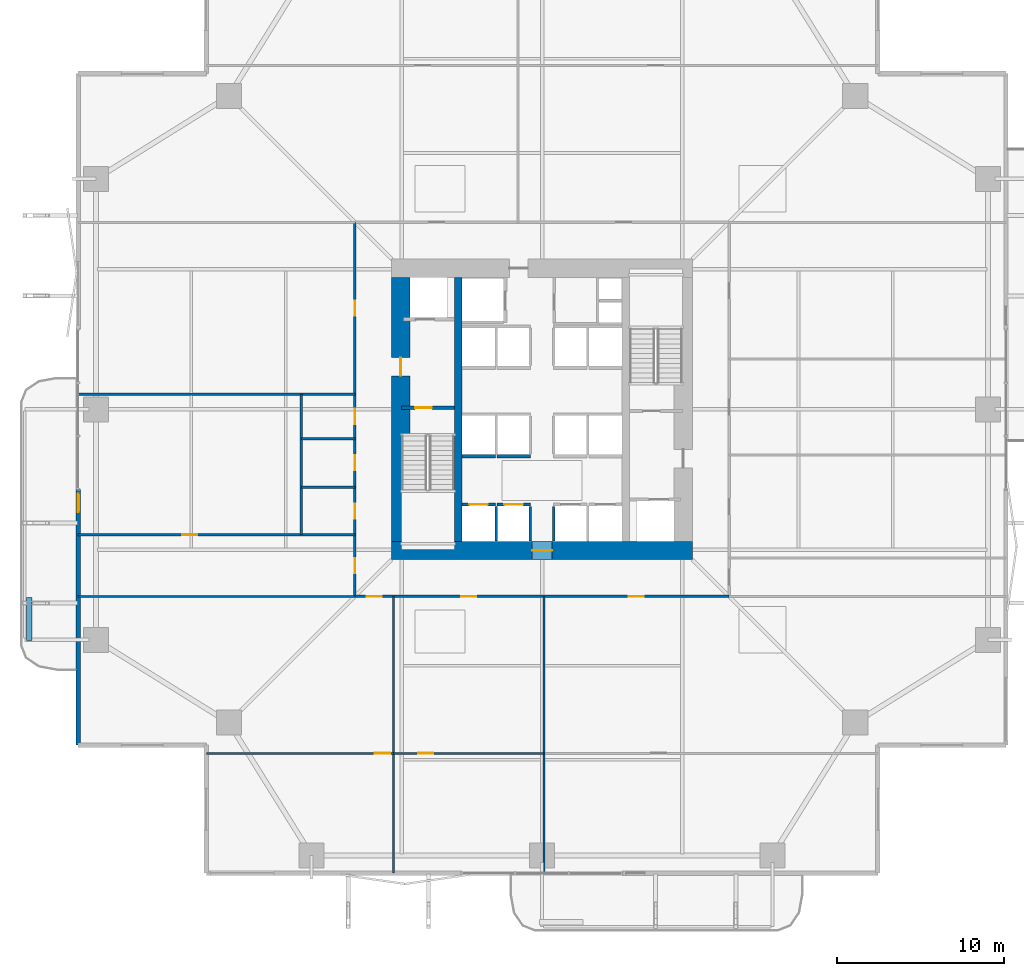
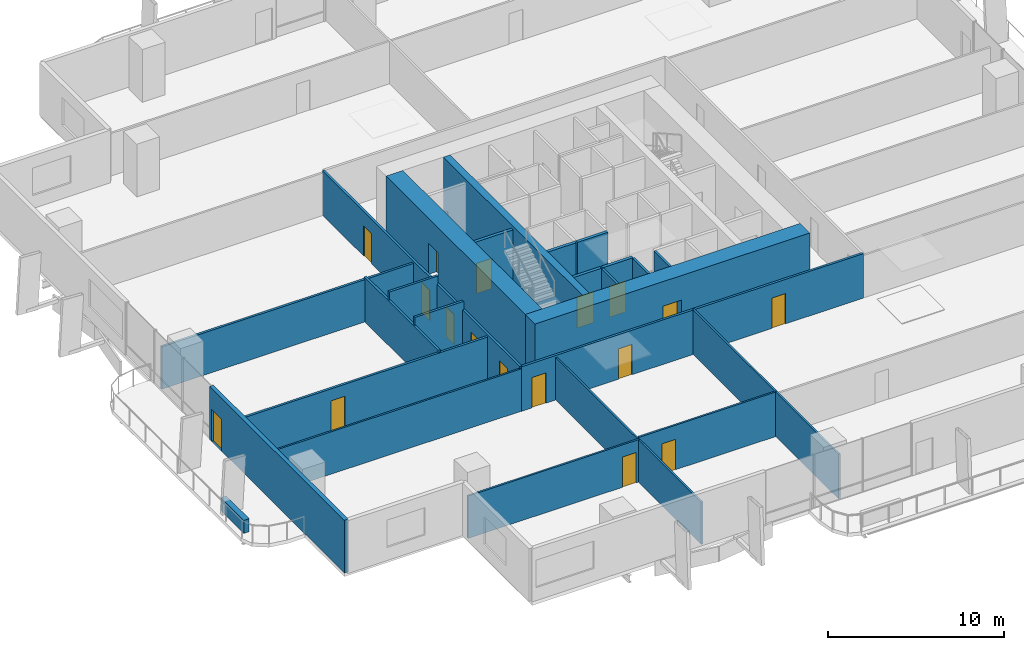
# One storey, part 17 of 24: 25 walls, 17 doors, 17 openings.
"""IFC4 building model written with IfcOpenShell, lengths in metres."""

from ifc_helpers import new_model, si_unit, direction, frame, frame_2d, origin, place, context, subcontext, project, spatial, rectangle, extrude, material, layer, layer_set, type_object, element, fill, save


model = new_model("IFC4")

# Units and contexts
model_context = context("Model", 3, precision=1e-05, world=origin(), true_north=direction((0.0, 1.0)))
body_context = subcontext(model_context, "Body", "Model", "MODEL_VIEW")
ifc_project = project(units=[si_unit("LENGTHUNIT", "METRE"), si_unit("AREAUNIT", "SQUARE_METRE"), si_unit("VOLUMEUNIT", "CUBIC_METRE"), si_unit("PLANEANGLEUNIT", "RADIAN"), si_unit("MASSUNIT", "GRAM", prefix="KILO")], contexts=[model_context])

# Site, building, storey
site_placement = place(None, origin())
site = spatial("IfcSite", under=ifc_project, at=site_placement, CompositionType="ELEMENT")
building_placement = place(site_placement, origin())
building = spatial("IfcBuilding", under=site, at=building_placement, Name="Belovzor Exchange Tower", CompositionType="ELEMENT")
storey_placement = place(building_placement, frame((0.0, 0.0, 49.5)))
storey = spatial("IfcBuildingStorey", under=building, at=storey_placement, Name="L11", CompositionType="ELEMENT", Elevation=49.5)

# Wall, opening, door
ifc_material_1 = material(Name="Acoustic Plasterboard on Galvanised Studs", Category="gypsum")
ifc_layer_1 = layer(ifc_material_1, 0.1201171875)
ifc_layer_set_1 = layer_set([ifc_layer_1], Name="Acoustic Plasterboard on Galvanised Studs")
wall_type_1 = type_object("IfcWallType", Name="Acoustic Double-Stud Partition Wall 120", PredefinedType="PARTITIONING", material=ifc_layer_set_1)
wall_1_placement = place(storey_placement, frame((8.699951171875, 8.2119140625, 0.0), z_axis=(0.0, 0.0, 1.0), x_axis=(1.0, 0.0, 0.0)))
wall_1 = element("IfcWall", 1, at=wall_1_placement, inside=storey, type_object=wall_type_1, Name="W-P120 Partition Wall W-L11-SHDIV-0", PredefinedType="PARTITIONING", context=body_context, shape_type="SweptSolid", body=[
    extrude(rectangle(XDim=11.199951171875, YDim=0.1201171875, at=frame_2d((5.60009765625, 0.0))), origin(), (0.0, 0.0, 1.0), 2.93505859375),
])
opening_1_placement = place(wall_1_placement, frame((10.10009765625, 0.0, 0.0)))
opening_1 = element("IfcOpeningElement", 2, at=opening_1_placement, cuts=wall_1, Name="Opening D-INT-090", PredefinedType="OPENING", context=body_context, shape_type="SweptSolid", body=[
    extrude(rectangle(XDim=0.89990234375, YDim=2.10009765625, at=frame_2d((0.449951171875, 1.050048828125))), frame((0.0, 0.070068359375, 0.0), z_axis=(0.0, -1.0, 0.0), x_axis=(1.0, 0.0, 0.0)), (0.0, 0.0, 1.0), 0.14013671875),
])
ifc_material_2 = material(Name="Veneered Hardwood Acoustic Leaf", Category="wood")
door_type_1 = type_object("IfcDoorType", Name="Trading Suite Acoustic Single Door 900x2100", OperationType="NOTDEFINED", PredefinedType="DOOR", material=ifc_material_2)
door_1_placement = place(opening_1_placement, origin())
door_1 = element("IfcDoor", 3, at=door_1_placement, inside=storey, type_object=door_type_1, Name="D-INT-090 Trading Suite Acoustic Single Door 900x2100", OperationType="SINGLE_SWING_LEFT", OverallHeight=2.10009765625, OverallWidth=0.89990234375, PredefinedType="DOOR", context=body_context, shape_type="SweptSolid", body=[
    extrude(rectangle(XDim=0.89990234375, YDim=2.10009765625, at=frame_2d((0.449951171875, 1.050048828125))), frame((0.0, 0.02490234375, 0.0), z_axis=(0.0, -1.0, 0.0), x_axis=(1.0, 0.0, 0.0)), (0.0, 0.0, 1.0), 0.050048828125),
])
fill(opening_1, door_1)

# Wall
wall_2_placement = place(storey_placement, frame((19.89990234375, 1.030029296875, 0.0), z_axis=(0.0, 0.0, 1.0), x_axis=(0.0, 1.0, 0.0)))
element("IfcWall", 4, at=wall_2_placement, inside=storey, type_object=wall_type_1, Name="W-P120 Partition Wall W-L11-SDIV-1", PredefinedType="PARTITIONING", context=body_context, shape_type="SweptSolid", body=[
    extrude(rectangle(XDim=16.570068359375, YDim=0.1201171875, at=frame_2d((8.28515625, 0.0))), origin(), (0.0, 0.0, 1.0), 2.93505859375),
])

# Wall, opening, door
wall_3_placement = place(storey_placement, frame((19.89990234375, 8.2119140625, 0.0), z_axis=(0.0, 0.0, 1.0), x_axis=(1.0, 0.0, 0.0)))
wall_3 = element("IfcWall", 5, at=wall_3_placement, inside=storey, type_object=wall_type_1, Name="W-P120 Partition Wall W-L11-SHDIV-1", PredefinedType="PARTITIONING", context=body_context, shape_type="SweptSolid", body=[
    extrude(rectangle(XDim=9.004150390625, YDim=0.1201171875, at=frame_2d((4.501953125, 0.0))), origin(), (0.0, 0.0, 1.0), 3.0849609375),
])
opening_2_placement = place(wall_3_placement, frame((1.48388671875, 0.0, 0.0)))
opening_2 = element("IfcOpeningElement", 6, at=opening_2_placement, cuts=wall_3, Name="Opening D-INT-090", PredefinedType="OPENING", context=body_context, shape_type="SweptSolid", body=[
    extrude(rectangle(XDim=0.89990234375, YDim=2.10009765625, at=frame_2d((0.449951171875, 1.050048828125))), frame((0.0, 0.070068359375, 0.0), z_axis=(0.0, -1.0, 0.0), x_axis=(1.0, 0.0, 0.0)), (0.0, 0.0, 1.0), 0.14013671875),
])
door_2_placement = place(opening_2_placement, origin())
door_2 = element("IfcDoor", 7, at=door_2_placement, inside=storey, type_object=door_type_1, Name="D-INT-090 Trading Suite Acoustic Single Door 900x2100", OperationType="SINGLE_SWING_LEFT", OverallHeight=2.10009765625, OverallWidth=0.89990234375, PredefinedType="DOOR", context=body_context, shape_type="SweptSolid", body=[
    extrude(rectangle(XDim=0.89990234375, YDim=2.10009765625, at=frame_2d((0.449951171875, 1.050048828125))), frame((0.0, 0.02490234375, 0.0), z_axis=(0.0, -1.0, 0.0), x_axis=(1.0, 0.0, 0.0)), (0.0, 0.0, 1.0), 0.050048828125),
])
fill(opening_2, door_2)

# Walls
wall_4_placement = place(storey_placement, frame((28.904052734375, 1.030029296875, 0.0), z_axis=(0.0, 0.0, 1.0), x_axis=(0.0, 1.0, 0.0)))
element("IfcWall", 8, at=wall_4_placement, inside=storey, type_object=wall_type_1, Name="W-P120 Partition Wall W-L11-SDIV-2", PredefinedType="PARTITIONING", context=body_context, shape_type="SweptSolid", body=[
    extrude(rectangle(XDim=16.570068359375, YDim=0.1201171875, at=frame_2d((8.28515625, 0.0))), origin(), (0.0, 0.0, 1.0), 3.0849609375),
])
wall_5_placement = place(storey_placement, frame((1.030029296875, 17.60009765625, 0.0), z_axis=(0.0, 0.0, 1.0), x_axis=(1.0, 0.0, 0.0)))
element("IfcWall", 9, at=wall_5_placement, inside=storey, type_object=wall_type_1, Name="W-P120 Partition Wall W-L11-END-SW", PredefinedType="PARTITIONING", context=body_context, shape_type="SweptSolid", body=[
    extrude(rectangle(XDim=16.570068359375, YDim=0.1201171875, at=frame_2d((8.28515625, 0.0))), origin(), (0.0, 0.0, 1.0), 2.93505859375),
])
ifc_material_3 = material(Name="Fire-Rated Gypsum Block and Mineral Wool", Category="gypsum")
ifc_layer_2 = layer(ifc_material_3, 0.14990234375)
ifc_layer_set_2 = layer_set([ifc_layer_2], Name="Fire-Rated Gypsum Block and Mineral Wool")
wall_type_2 = type_object("IfcWallType", Name="Fire-Rated Gypsum Block Corridor Wall 150", PredefinedType="PARTITIONING", material=ifc_layer_set_2)
wall_6_placement = place(storey_placement, frame((14.39990234375, 21.300048828125, 0.0), z_axis=(0.0, 0.0, 1.0), x_axis=(0.0, 1.0, 0.0)))
element("IfcWall", 10, at=wall_6_placement, inside=storey, type_object=wall_type_2, Name="W-P150 Partition Wall W-L11-WCW", PredefinedType="PARTITIONING", context=body_context, shape_type="SweptSolid", body=[
    extrude(rectangle(XDim=8.39990234375, YDim=0.14990234375, at=frame_2d((4.199951171875, 0.0))), origin(), (0.0, 0.0, 1.0), 3.0849609375),
])

# Wall, opening, door
wall_7_placement = place(storey_placement, frame((1.030029296875, 21.300048828125, 0.0), z_axis=(0.0, 0.0, 1.0), x_axis=(1.0, 0.0, 0.0)))
wall_7 = element("IfcWall", 11, at=wall_7_placement, inside=storey, type_object=wall_type_2, Name="W-P150 Partition Wall W-L11-WCS", PredefinedType="PARTITIONING", context=body_context, shape_type="SweptSolid", body=[
    extrude(rectangle(XDim=16.570068359375, YDim=0.14990234375, at=frame_2d((8.28515625, 0.0))), origin(), (0.0, 0.0, 1.0), 2.93505859375),
])
opening_3_placement = place(wall_7_placement, frame((6.235107421875, 0.0, 0.0)))
opening_3 = element("IfcOpeningElement", 12, at=opening_3_placement, cuts=wall_7, Name="Opening D-INT-090", PredefinedType="OPENING", context=body_context, shape_type="SweptSolid", body=[
    extrude(rectangle(XDim=0.89990234375, YDim=2.10009765625, at=frame_2d((0.449951171875, 1.050048828125))), frame((0.0, 0.0849609375, 0.0), z_axis=(0.0, -1.0, 0.0), x_axis=(1.0, 0.0, 0.0)), (0.0, 0.0, 1.0), 0.169921875),
])
door_3_placement = place(opening_3_placement, origin())
door_3 = element("IfcDoor", 13, at=door_3_placement, inside=storey, type_object=door_type_1, Name="D-INT-090 Trading Suite Acoustic Single Door 900x2100", OperationType="SINGLE_SWING_LEFT", OverallHeight=2.10009765625, OverallWidth=0.89990234375, PredefinedType="DOOR", context=body_context, shape_type="SweptSolid", body=[
    extrude(rectangle(XDim=0.89990234375, YDim=2.10009765625, at=frame_2d((0.449951171875, 1.050048828125))), frame((0.0, 0.02490234375, 0.0), z_axis=(0.0, -1.0, 0.0), x_axis=(1.0, 0.0, 0.0)), (0.0, 0.0, 1.0), 0.050048828125),
])
fill(opening_3, door_3)

# Walls
wall_8_placement = place(storey_placement, frame((1.030029296875, 29.699951171875, 0.0), z_axis=(0.0, 0.0, 1.0), x_axis=(1.0, 0.0, 0.0)))
element("IfcWall", 14, at=wall_8_placement, inside=storey, type_object=wall_type_2, Name="W-P150 Partition Wall W-L11-WCN", PredefinedType="PARTITIONING", context=body_context, shape_type="SweptSolid", body=[
    extrude(rectangle(XDim=16.570068359375, YDim=0.14990234375, at=frame_2d((8.28515625, 0.0))), origin(), (0.0, 0.0, 1.0), 2.93505859375),
])
for number, where, z_axis, x_axis, name in (
    (15, (14.39990234375, 24.14990234375, 0.0), (0.0, 0.0, 1.0), (1.0, 0.0, 0.0), "W-P150 Partition Wall W-L11-WCD1"),
    (16, (14.39990234375, 27.050048828125, 0.0), (0.0, 0.0, 1.0), (1.0, 0.0, 0.0), "W-P150 Partition Wall W-L11-WCD2"),
):
    element("IfcWall", number, at=place(storey_placement, frame(where, z_axis=z_axis, x_axis=x_axis)), inside=storey, type_object=wall_type_2, Name=name, PredefinedType="PARTITIONING", context=body_context, shape_type="SweptSolid", body=[
        extrude(rectangle(XDim=3.2001953125, YDim=0.14990234375, at=frame_2d((1.60009765625, 0.0))), origin(), (0.0, 0.0, 1.0), 3.64990234375),
    ])

# Wall, openings, doors
wall_9_placement = place(storey_placement, frame((17.60009765625, 17.60009765625, 0.0), z_axis=(0.0, 0.0, 1.0), x_axis=(1.0, 0.0, 0.0)))
wall_9 = element("IfcWall", 17, at=wall_9_placement, inside=storey, type_object=wall_type_2, Name="W-P150 Partition Wall W-L11-CS", PredefinedType="PARTITIONING", context=body_context, shape_type="SweptSolid", body=[
    extrude(rectangle(XDim=22.39990234375, YDim=0.14990234375, at=frame_2d((11.199951171875, 0.0))), origin(), (0.0, 0.0, 1.0), 3.0849609375),
])
opening_4_placement = place(wall_9_placement, frame((0.699951171875, 0.0, 0.0)))
opening_4 = element("IfcOpeningElement", 18, at=opening_4_placement, cuts=wall_9, Name="Opening D-INT-090", PredefinedType="OPENING", context=body_context, shape_type="SweptSolid", body=[
    extrude(rectangle(XDim=0.89990234375, YDim=2.10009765625, at=frame_2d((0.449951171875, 1.050048828125))), frame((0.0, 0.0849609375, 0.0), z_axis=(0.0, -1.0, 0.0), x_axis=(1.0, 0.0, 0.0)), (0.0, 0.0, 1.0), 0.169921875),
])
opening_5_placement = place(wall_9_placement, frame((6.35205078125, 0.0, 0.0)))
opening_5 = element("IfcOpeningElement", 19, at=opening_5_placement, cuts=wall_9, Name="Opening D-INT-090", PredefinedType="OPENING", context=body_context, shape_type="SweptSolid", body=[
    extrude(rectangle(XDim=0.89990234375, YDim=2.10009765625, at=frame_2d((0.449951171875, 1.050048828125))), frame((0.0, 0.0849609375, 0.0), z_axis=(0.0, -1.0, 0.0), x_axis=(1.0, 0.0, 0.0)), (0.0, 0.0, 1.0), 0.169921875),
])
opening_6_placement = place(wall_9_placement, frame((16.402099609375, 0.0, 0.0)))
opening_6 = element("IfcOpeningElement", 20, at=opening_6_placement, cuts=wall_9, Name="Opening D-INT-090", PredefinedType="OPENING", context=body_context, shape_type="SweptSolid", body=[
    extrude(rectangle(XDim=0.89990234375, YDim=2.10009765625, at=frame_2d((0.449951171875, 1.050048828125))), frame((0.0, 0.0849609375, 0.0), z_axis=(0.0, -1.0, 0.0), x_axis=(1.0, 0.0, 0.0)), (0.0, 0.0, 1.0), 0.169921875),
])
door_4_placement = place(opening_4_placement, origin())
door_4 = element("IfcDoor", 21, at=door_4_placement, inside=storey, type_object=door_type_1, Name="D-INT-090 Trading Suite Acoustic Single Door 900x2100", OperationType="SINGLE_SWING_RIGHT", OverallHeight=2.10009765625, OverallWidth=0.89990234375, PredefinedType="DOOR", context=body_context, shape_type="SweptSolid", body=[
    extrude(rectangle(XDim=0.89990234375, YDim=2.10009765625, at=frame_2d((0.449951171875, 1.050048828125))), frame((0.0, 0.02490234375, 0.0), z_axis=(0.0, -1.0, 0.0), x_axis=(1.0, 0.0, 0.0)), (0.0, 0.0, 1.0), 0.050048828125),
])
fill(opening_4, door_4)
door_5_placement = place(opening_5_placement, origin())
door_5 = element("IfcDoor", 22, at=door_5_placement, inside=storey, type_object=door_type_1, Name="D-INT-090 Trading Suite Acoustic Single Door 900x2100", OperationType="SINGLE_SWING_LEFT", OverallHeight=2.10009765625, OverallWidth=0.89990234375, PredefinedType="DOOR", context=body_context, shape_type="SweptSolid", body=[
    extrude(rectangle(XDim=0.89990234375, YDim=2.10009765625, at=frame_2d((0.449951171875, 1.050048828125))), frame((0.0, 0.02490234375, 0.0), z_axis=(0.0, -1.0, 0.0), x_axis=(1.0, 0.0, 0.0)), (0.0, 0.0, 1.0), 0.050048828125),
])
fill(opening_5, door_5)
door_6_placement = place(opening_6_placement, origin())
door_6 = element("IfcDoor", 23, at=door_6_placement, inside=storey, type_object=door_type_1, Name="D-INT-090 Trading Suite Acoustic Single Door 900x2100", OperationType="SINGLE_SWING_RIGHT", OverallHeight=2.10009765625, OverallWidth=0.89990234375, PredefinedType="DOOR", context=body_context, shape_type="SweptSolid", body=[
    extrude(rectangle(XDim=0.89990234375, YDim=2.10009765625, at=frame_2d((0.449951171875, 1.050048828125))), frame((0.0, 0.02490234375, 0.0), z_axis=(0.0, -1.0, 0.0), x_axis=(1.0, 0.0, 0.0)), (0.0, 0.0, 1.0), 0.050048828125),
])
fill(opening_6, door_6)

wall_10_placement = place(storey_placement, frame((17.60009765625, 17.60009765625, 0.0), z_axis=(0.0, 0.0, 1.0), x_axis=(0.0, 1.0, 0.0)))
wall_10 = element("IfcWall", 24, at=wall_10_placement, inside=storey, type_object=wall_type_2, Name="W-P150 Partition Wall W-L11-CW", PredefinedType="PARTITIONING", context=body_context, shape_type="SweptSolid", body=[
    extrude(rectangle(XDim=22.39990234375, YDim=0.14990234375, at=frame_2d((11.199951171875, 0.0))), origin(), (0.0, 0.0, 1.0), 3.0849609375),
])
opening_7_placement = place(wall_10_placement, frame((1.39990234375, 0.0, 0.0)))
opening_7 = element("IfcOpeningElement", 25, at=opening_7_placement, cuts=wall_10, Name="Opening D-INT-090", PredefinedType="OPENING", context=body_context, shape_type="SweptSolid", body=[
    extrude(rectangle(XDim=0.89990234375, YDim=2.10009765625, at=frame_2d((0.449951171875, 1.050048828125))), frame((0.0, 0.0849609375, 0.0), z_axis=(0.0, -1.0, 0.0), x_axis=(1.0, 0.0, 0.0)), (0.0, 0.0, 1.0), 0.169921875),
])
opening_8_placement = place(wall_10_placement, frame((4.64990234375, 0.0, 0.0)))
opening_8 = element("IfcOpeningElement", 26, at=opening_8_placement, cuts=wall_10, Name="Opening D-FD60-090", PredefinedType="OPENING", context=body_context, shape_type="SweptSolid", body=[
    extrude(rectangle(XDim=0.89990234375, YDim=2.10009765625, at=frame_2d((0.449951171875, 1.050048828125))), frame((0.0, 0.0849609375, 0.0), z_axis=(0.0, -1.0, 0.0), x_axis=(1.0, 0.0, 0.0)), (0.0, 0.0, 1.0), 0.169921875),
])
opening_9_placement = place(wall_10_placement, frame((7.550048828125, 0.0, 0.0)))
opening_9 = element("IfcOpeningElement", 27, at=opening_9_placement, cuts=wall_10, Name="Opening D-FD60-090", PredefinedType="OPENING", context=body_context, shape_type="SweptSolid", body=[
    extrude(rectangle(XDim=0.89990234375, YDim=2.10009765625, at=frame_2d((0.449951171875, 1.050048828125))), frame((0.0, 0.0849609375, 0.0), z_axis=(0.0, -1.0, 0.0), x_axis=(1.0, 0.0, 0.0)), (0.0, 0.0, 1.0), 0.169921875),
])
opening_10_placement = place(wall_10_placement, frame((10.300048828125, 0.0, 0.0)))
opening_10 = element("IfcOpeningElement", 28, at=opening_10_placement, cuts=wall_10, Name="Opening D-FD60-095", PredefinedType="OPENING", context=body_context, shape_type="SweptSolid", body=[
    extrude(rectangle(XDim=0.949951171875, YDim=2.10009765625, at=frame_2d((0.47509765625, 1.050048828125))), frame((0.0, 0.0849609375, 0.0), z_axis=(0.0, -1.0, 0.0), x_axis=(1.0, 0.0, 0.0)), (0.0, 0.0, 1.0), 0.169921875),
])
opening_11_placement = place(wall_10_placement, frame((16.800048828125, 0.0, 0.0)))
opening_11 = element("IfcOpeningElement", 29, at=opening_11_placement, cuts=wall_10, Name="Opening D-INT-090", PredefinedType="OPENING", context=body_context, shape_type="SweptSolid", body=[
    extrude(rectangle(XDim=0.89990234375, YDim=2.10009765625, at=frame_2d((0.449951171875, 1.050048828125))), frame((0.0, 0.0849609375, 0.0), z_axis=(0.0, -1.0, 0.0), x_axis=(1.0, 0.0, 0.0)), (0.0, 0.0, 1.0), 0.169921875),
])
ifc_material_4 = material(Name="Moisture-Resistant Timber Fire Leaf", Category="wood")
door_type_2 = type_object("IfcDoorType", Name="Accessible Restroom Wide Fire Door 950x2100", OperationType="NOTDEFINED", PredefinedType="DOOR", material=ifc_material_4)
door_7_placement = place(opening_10_placement, origin())
door_7 = element("IfcDoor", 30, at=door_7_placement, inside=storey, type_object=door_type_2, Name="D-FD60-095 Accessible Restroom Wide Fire Door 950x2100", OperationType="SINGLE_SWING_LEFT", OverallHeight=2.10009765625, OverallWidth=0.949951171875, PredefinedType="DOOR", context=body_context, shape_type="SweptSolid", body=[
    extrude(rectangle(XDim=0.949951171875, YDim=2.10009765625, at=frame_2d((0.47509765625, 1.050048828125))), frame((0.0, 0.02490234375, 0.0), z_axis=(0.0, -1.0, 0.0), x_axis=(1.0, 0.0, 0.0)), (0.0, 0.0, 1.0), 0.050048828125),
])
fill(opening_10, door_7)
ifc_material_5 = material(Name="Acoustic Timber Fire Leaf", Category="wood")
door_type_3 = type_object("IfcDoorType", Name="Core Service & Restroom Fire Door 900x2100", OperationType="NOTDEFINED", PredefinedType="DOOR", material=ifc_material_5)
door_8_placement = place(opening_8_placement, origin())
door_8 = element("IfcDoor", 31, at=door_8_placement, inside=storey, type_object=door_type_3, Name="D-FD60-090 Core Service & Restroom Fire Door 900x2100", OperationType="SINGLE_SWING_LEFT", OverallHeight=2.10009765625, OverallWidth=0.89990234375, PredefinedType="DOOR", context=body_context, shape_type="SweptSolid", body=[
    extrude(rectangle(XDim=0.89990234375, YDim=2.10009765625, at=frame_2d((0.449951171875, 1.050048828125))), frame((0.0, 0.02490234375, 0.0), z_axis=(0.0, -1.0, 0.0), x_axis=(1.0, 0.0, 0.0)), (0.0, 0.0, 1.0), 0.050048828125),
])
fill(opening_8, door_8)
door_9_placement = place(opening_9_placement, origin())
door_9 = element("IfcDoor", 32, at=door_9_placement, inside=storey, type_object=door_type_3, Name="D-FD60-090 Core Service & Restroom Fire Door 900x2100", OperationType="SINGLE_SWING_RIGHT", OverallHeight=2.10009765625, OverallWidth=0.89990234375, PredefinedType="DOOR", context=body_context, shape_type="SweptSolid", body=[
    extrude(rectangle(XDim=0.89990234375, YDim=2.10009765625, at=frame_2d((0.449951171875, 1.050048828125))), frame((0.0, 0.02490234375, 0.0), z_axis=(0.0, -1.0, 0.0), x_axis=(1.0, 0.0, 0.0)), (0.0, 0.0, 1.0), 0.050048828125),
])
fill(opening_9, door_9)
door_10_placement = place(opening_7_placement, origin())
door_10 = element("IfcDoor", 33, at=door_10_placement, inside=storey, type_object=door_type_1, Name="D-INT-090 Trading Suite Acoustic Single Door 900x2100", OperationType="SINGLE_SWING_LEFT", OverallHeight=2.10009765625, OverallWidth=0.89990234375, PredefinedType="DOOR", context=body_context, shape_type="SweptSolid", body=[
    extrude(rectangle(XDim=0.89990234375, YDim=2.10009765625, at=frame_2d((0.449951171875, 1.050048828125))), frame((0.0, 0.02490234375, 0.0), z_axis=(0.0, -1.0, 0.0), x_axis=(1.0, 0.0, 0.0)), (0.0, 0.0, 1.0), 0.050048828125),
])
fill(opening_7, door_10)
door_11_placement = place(opening_11_placement, origin())
door_11 = element("IfcDoor", 34, at=door_11_placement, inside=storey, type_object=door_type_1, Name="D-INT-090 Trading Suite Acoustic Single Door 900x2100", OperationType="SINGLE_SWING_RIGHT", OverallHeight=2.10009765625, OverallWidth=0.89990234375, PredefinedType="DOOR", context=body_context, shape_type="SweptSolid", body=[
    extrude(rectangle(XDim=0.89990234375, YDim=2.10009765625, at=frame_2d((0.449951171875, 1.050048828125))), frame((0.0, 0.02490234375, 0.0), z_axis=(0.0, -1.0, 0.0), x_axis=(1.0, 0.0, 0.0)), (0.0, 0.0, 1.0), 0.050048828125),
])
fill(opening_11, door_11)

# Wall, opening, door
ifc_material_6 = material(Name="Precast concrete C40/50", Category="concrete")
ifc_layer_3 = layer(ifc_material_6, 0.260009765625)
ifc_layer_set_3 = layer_set([ifc_layer_3], Name="Precast concrete C40/50")
wall_type_3 = type_object("IfcWallType", Name="Precast Concrete Perimeter Loggia Frame Wall 260", PredefinedType="SOLIDWALL", material=ifc_layer_set_3)
wall_11_placement = place(storey_placement, frame((1.030029296875, 8.699951171875, 0.0), z_axis=(0.0, 0.0, 1.0), x_axis=(0.0, 1.0, 0.0)))
wall_11 = element("IfcWall", 35, at=wall_11_placement, inside=storey, type_object=wall_type_3, Name="W-EXT260 Precast Concrete Perimeter Loggia Frame Wall 260 L11", PredefinedType="SOLIDWALL", context=body_context, shape_type="SweptSolid", body=[
    extrude(rectangle(XDim=15.300048828125, YDim=0.260009765625, at=frame_2d((7.64990234375, 0.0))), origin(), (0.0, 0.0, 1.0), 3.64990234375),
])
opening_12_placement = place(wall_11_placement, frame((13.949951171875, 0.0, 0.0)))
opening_12 = element("IfcOpeningElement", 36, at=opening_12_placement, cuts=wall_11, Name="Opening D-BAL110", PredefinedType="OPENING", context=body_context, shape_type="SweptSolid", body=[
    extrude(rectangle(XDim=1.10009765625, YDim=2.199951171875, at=frame_2d((0.550048828125, 1.10009765625))), frame((0.0, 0.139892578125, 0.0), z_axis=(0.0, -1.0, 0.0), x_axis=(1.0, 0.0, 0.0)), (0.0, 0.0, 1.0), 0.280029296875),
])
ifc_material_7 = material(Name="Thermally Broken Anodised Aluminium and Laminated Glass", Category="aluminium")
door_type_4 = type_object("IfcDoorType", Name="Planted Loggia Terrace Glazed Door 1100x2200", OperationType="SINGLE_SWING_LEFT", PredefinedType="DOOR", material=ifc_material_7)
door_12_placement = place(opening_12_placement, origin())
door_12 = element("IfcDoor", 37, at=door_12_placement, inside=storey, type_object=door_type_4, Name="D-BAL110 Balcony Terrace Door L11 W", OperationType="SINGLE_SWING_RIGHT", OverallHeight=2.199951171875, OverallWidth=1.10009765625, PredefinedType="DOOR", context=body_context, shape_type="SweptSolid", body=[
    extrude(rectangle(XDim=1.10009765625, YDim=2.199951171875, at=frame_2d((0.550048828125, 1.10009765625))), frame((0.0, 0.02490234375, 0.0), z_axis=(0.0, -1.0, 0.0), x_axis=(1.0, 0.0, 0.0)), (0.0, 0.0, 1.0), 0.050048828125),
])
fill(opening_12, door_12)

# Walls
ifc_material_8 = material(Name="Precast concrete C40/50", Category="concrete")
ifc_layer_4 = layer(ifc_material_8, 0.35009765625)
ifc_layer_set_4 = layer_set([ifc_layer_4], Name="Precast concrete C40/50")
wall_type_4 = type_object("IfcWallType", Name="Precast Concrete Structural Tree Planter Trough 350", PredefinedType="PARAPET", material=ifc_layer_set_4)
wall_12_placement = place(storey_placement, frame((-1.89990234375, 14.949951171875, 0.0), z_axis=(0.0, 0.0, 1.0), x_axis=(0.0, 1.0, 0.0)))
element("IfcWall", 38, at=wall_12_placement, inside=storey, type_object=wall_type_4, Name="PT-350 Precast Concrete Structural Tree Planter Trough 350 L11", PredefinedType="PARAPET", context=body_context, shape_type="SweptSolid", body=[
    extrude(rectangle(XDim=2.60009765625, YDim=0.35009765625, at=frame_2d((1.300048828125, 0.0))), origin(), (0.0, 0.0, 1.0), 0.89990234375),
])
ifc_material_9 = material(Name="Concrete C50/60", Category="concrete")
ifc_layer_5 = layer(ifc_material_9, 0.449951171875)
ifc_layer_set_5 = layer_set([ifc_layer_5], Name="Concrete C50/60")
wall_type_5 = type_object("IfcWallType", Name="Reinforced Concrete Core Internal Web Wall 450", PredefinedType="SHEAR", material=ifc_layer_set_5)
wall_13_placement = place(storey_placement, frame((23.77490234375, 20.89990234375, 0.0), z_axis=(0.0, 0.0, 1.0), x_axis=(0.0, 1.0, 0.0)))
element("IfcWall", 39, at=wall_13_placement, inside=storey, type_object=wall_type_5, Name="CW-W045 Core Internal Web Wall L11 WL", PredefinedType="SHEAR", context=body_context, shape_type="SweptSolid", body=[
    extrude(rectangle(XDim=15.800048828125, YDim=0.449951171875, at=frame_2d((7.89990234375, 0.0))), origin(), (0.0, 0.0, 1.0), 3.89990234375),
])
ifc_material_10 = material(Name="Concrete C50/60", Category="concrete")
ifc_layer_6 = layer(ifc_material_10, 0.14990234375)
ifc_layer_set_6 = layer_set([ifc_layer_6], Name="Concrete C50/60")
wall_type_6 = type_object("IfcWallType", Name="Reinforced Concrete Core Riser Shear Wall 150", PredefinedType="SHEAR", material=ifc_layer_set_6)
for number, where, z_axis, x_axis, name in (
    (40, (26.050048828125, 20.919921875, 0.0), (0.0, 0.0, 1.0), (0.0, 1.0, 0.0), "W-C150S Core Shaft Wall W-SHD-L11-PLL-1"),
    (41, (28.10009765625, 20.919921875, 0.0), (0.0, 0.0, 1.0), (0.0, 1.0, 0.0), "W-C150S Core Shaft Wall W-SHD-L11-PLL-2"),
    (42, (29.5, 20.919921875, 0.0), (0.0, 0.0, 1.0), (0.0, 1.0, 0.0), "W-C150S Core Shaft Wall W-SHD-L11-PLL-3"),
):
    element("IfcWall", number, at=place(storey_placement, frame(where, z_axis=z_axis, x_axis=x_axis)), inside=storey, type_object=wall_type_6, Name=name, PredefinedType="SHEAR", context=body_context, shape_type="SweptSolid", body=[
        extrude(rectangle(XDim=2.06005859375, YDim=0.14990234375, at=frame_2d((1.030029296875, 0.0))), origin(), (0.0, 0.0, 1.0), 3.64990234375),
    ])

# Wall, opening, door
ifc_material_11 = material(Name="Concrete C50/60", Category="concrete")
ifc_layer_7 = layer(ifc_material_11, 0.199951171875)
ifc_layer_set_7 = layer_set([ifc_layer_7], Name="Concrete C50/60")
wall_type_7 = type_object("IfcWallType", Name="Reinforced Concrete Core Shaft Shear Wall 200", PredefinedType="SHEAR", material=ifc_layer_set_7)
wall_14_placement = place(storey_placement, frame((20.39990234375, 28.89990234375, 0.0), z_axis=(0.0, 0.0, 1.0), x_axis=(1.0, 0.0, 0.0)))
wall_14 = element("IfcWall", 43, at=wall_14_placement, inside=storey, type_object=wall_type_7, Name="W-C200S Core Shaft Wall W-CORE-L11-FFLW1", PredefinedType="SHEAR", context=body_context, shape_type="SweptSolid", body=[
    extrude(rectangle(XDim=3.150146484375, YDim=0.199951171875, at=frame_2d((1.5751953125, 0.0))), origin(), (0.0, 0.0, 1.0), 3.64990234375),
])
opening_13_placement = place(wall_14_placement, frame((0.800048828125, 0.0, 0.0)))
opening_13 = element("IfcOpeningElement", 44, at=opening_13_placement, cuts=wall_14, Name="Opening D-FD90-100", PredefinedType="OPENING", context=body_context, shape_type="SweptSolid", body=[
    extrude(rectangle(XDim=1.0, YDim=2.10009765625, at=frame_2d((0.5, 1.050048828125))), frame((0.0, 0.10986328125, 0.0), z_axis=(0.0, -1.0, 0.0), x_axis=(1.0, 0.0, 0.0)), (0.0, 0.0, 1.0), 0.219970703125),
])
ifc_material_12 = material(Name="Fire-Rated Galvanised Steel Leaf", Category="steel")
door_type_5 = type_object("IfcDoorType", Name="Protected Stairwell Single Fire Door 1000x2100", OperationType="NOTDEFINED", PredefinedType="DOOR", material=ifc_material_12)
door_13_placement = place(opening_13_placement, origin())
door_13 = element("IfcDoor", 45, at=door_13_placement, inside=storey, type_object=door_type_5, Name="D-FD90-100 Protected Stairwell Single Fire Door 1000x2100", OperationType="SINGLE_SWING_RIGHT", OverallHeight=2.10009765625, OverallWidth=1.0, PredefinedType="DOOR", context=body_context, shape_type="SweptSolid", body=[
    extrude(rectangle(XDim=1.0, YDim=2.10009765625, at=frame_2d((0.5, 1.050048828125))), frame((0.0, 0.02490234375, 0.0), z_axis=(0.0, -1.0, 0.0), x_axis=(1.0, 0.0, 0.0)), (0.0, 0.0, 1.0), 0.050048828125),
])
fill(opening_13, door_13)

wall_15_placement = place(storey_placement, frame((24.0, 23.10009765625, 0.0), z_axis=(0.0, 0.0, 1.0), x_axis=(1.0, 0.0, 0.0)))
wall_15 = element("IfcWall", 46, at=wall_15_placement, inside=storey, type_object=wall_type_7, Name="W-C200S Core Shaft Wall W-SH-L11-PL-L1", PredefinedType="SHEAR", context=body_context, shape_type="SweptSolid", body=[
    extrude(rectangle(XDim=2.0, YDim=0.199951171875, at=frame_2d((1.0, 0.0))), origin(), (0.0, 0.0, 1.0), 3.64990234375),
])
opening_14_placement = place(wall_15_placement, frame((0.449951171875, 0.0, 0.0)))
opening_14 = element("IfcOpeningElement", 47, at=opening_14_placement, cuts=wall_15, Name="Opening LD-110", PredefinedType="OPENING", context=body_context, shape_type="SweptSolid", body=[
    extrude(rectangle(XDim=1.10009765625, YDim=2.14990234375, at=frame_2d((0.550048828125, 1.074951171875))), frame((0.0, 0.10986328125, 0.0), z_axis=(0.0, -1.0, 0.0), x_axis=(1.0, 0.0, 0.0)), (0.0, 0.0, 1.0), 0.219970703125),
])
ifc_material_13 = material(Name="Stainless Steel Grade 304", Category="steel")
door_type_6 = type_object("IfcDoorType", Name="Automated Stainless Steel Lift Landing Door 1100x2150", OperationType="SLIDING_TO_RIGHT", PredefinedType="DOOR", material=ifc_material_13)
door_14_placement = place(opening_14_placement, origin())
door_14 = element("IfcDoor", 48, at=door_14_placement, inside=storey, type_object=door_type_6, Name="LD-110 Automated Stainless Steel Lift Landing Door 1100x2150", OperationType="SLIDING_TO_RIGHT", OverallHeight=2.14990234375, OverallWidth=1.10009765625, PredefinedType="DOOR", context=body_context, shape_type="SweptSolid", body=[
    extrude(rectangle(XDim=1.10009765625, YDim=2.14990234375, at=frame_2d((0.550048828125, 1.074951171875))), frame((0.0, 0.02490234375, 0.0), z_axis=(0.0, -1.0, 0.0), x_axis=(1.0, 0.0, 0.0)), (0.0, 0.0, 1.0), 0.050048828125),
])
fill(opening_14, door_14)

wall_16_placement = place(storey_placement, frame((26.10009765625, 23.10009765625, 0.0), z_axis=(0.0, 0.0, 1.0), x_axis=(1.0, 0.0, 0.0)))
wall_16 = element("IfcWall", 49, at=wall_16_placement, inside=storey, type_object=wall_type_7, Name="W-C200S Core Shaft Wall W-SH-L11-PL-L2", PredefinedType="SHEAR", context=body_context, shape_type="SweptSolid", body=[
    extrude(rectangle(XDim=2.0, YDim=0.199951171875, at=frame_2d((1.0, 0.0))), origin(), (0.0, 0.0, 1.0), 3.64990234375),
])
opening_15_placement = place(wall_16_placement, frame((0.449951171875, 0.0, 0.0)))
opening_15 = element("IfcOpeningElement", 50, at=opening_15_placement, cuts=wall_16, Name="Opening LD-110", PredefinedType="OPENING", context=body_context, shape_type="SweptSolid", body=[
    extrude(rectangle(XDim=1.10009765625, YDim=2.14990234375, at=frame_2d((0.550048828125, 1.074951171875))), frame((0.0, 0.10986328125, 0.0), z_axis=(0.0, -1.0, 0.0), x_axis=(1.0, 0.0, 0.0)), (0.0, 0.0, 1.0), 0.219970703125),
])
door_15_placement = place(opening_15_placement, origin())
door_15 = element("IfcDoor", 51, at=door_15_placement, inside=storey, type_object=door_type_6, Name="LD-110 Automated Stainless Steel Lift Landing Door 1100x2150", OperationType="SLIDING_TO_RIGHT", OverallHeight=2.14990234375, OverallWidth=1.10009765625, PredefinedType="DOOR", context=body_context, shape_type="SweptSolid", body=[
    extrude(rectangle(XDim=1.10009765625, YDim=2.14990234375, at=frame_2d((0.550048828125, 1.074951171875))), frame((0.0, 0.02490234375, 0.0), z_axis=(0.0, -1.0, 0.0), x_axis=(1.0, 0.0, 0.0)), (0.0, 0.0, 1.0), 0.050048828125),
])
fill(opening_15, door_15)

# Walls
for number, where, z_axis, x_axis, name in (
    (52, (24.0, 26.0, 0.0), (0.0, 0.0, 1.0), (1.0, 0.0, 0.0), "W-C200S Core Shaft Wall W-SH-L11-PL-M1"),
    (53, (26.10009765625, 26.0, 0.0), (0.0, 0.0, 1.0), (1.0, 0.0, 0.0), "W-C200S Core Shaft Wall W-SH-L11-PL-M2"),
):
    element("IfcWall", number, at=place(storey_placement, frame(where, z_axis=z_axis, x_axis=x_axis)), inside=storey, type_object=wall_type_7, Name=name, PredefinedType="SHEAR", context=body_context, shape_type="SweptSolid", body=[
        extrude(rectangle(XDim=2.0, YDim=0.199951171875, at=frame_2d((1.0, 0.0))), origin(), (0.0, 0.0, 1.0), 3.64990234375),
    ])

# Wall, opening, door
ifc_material_14 = material(Name="Concrete C60/75", Category="concrete")
ifc_layer_8 = layer(ifc_material_14, 1.10009765625)
ifc_layer_set_8 = layer_set([ifc_layer_8], Name="Concrete C60/75")
wall_type_8 = type_object("IfcWallType", Name="Reinforced Concrete Core Shear Wall 1100", PredefinedType="SHEAR", material=ifc_layer_set_8)
wall_17_placement = place(storey_placement, frame((19.800048828125, 20.35009765625, 0.0), z_axis=(0.0, 0.0, 1.0), x_axis=(1.0, 0.0, 0.0)))
wall_17 = element("IfcWall", 54, at=wall_17_placement, inside=storey, type_object=wall_type_8, Name="CW-S110 Core Shear Wall L11 S", PredefinedType="SHEAR", context=body_context, shape_type="SweptSolid", body=[
    extrude(rectangle(XDim=18.0, YDim=1.10009765625, at=frame_2d((9.0, 0.0))), origin(), (0.0, 0.0, 1.0), 3.89990234375),
])
opening_16_placement = place(wall_17_placement, frame((8.39990234375, 0.0, 0.0)))
opening_16 = element("IfcOpeningElement", 55, at=opening_16_placement, cuts=wall_17, Name="Opening D-FD90-120", PredefinedType="OPENING", context=body_context, shape_type="SweptSolid", body=[
    extrude(rectangle(XDim=1.199951171875, YDim=2.199951171875, at=frame_2d((0.60009765625, 1.10009765625))), frame((0.0, 0.56005859375, 0.0), z_axis=(0.0, -1.0, 0.0), x_axis=(1.0, 0.0, 0.0)), (0.0, 0.0, 1.0), 1.1201171875),
])
ifc_material_15 = material(Name="Fire-Rated Galvanised Steel Leaf", Category="steel")
door_type_7 = type_object("IfcDoorType", Name="Heavy Plant & Foyer Fire Door 1200x2200", OperationType="NOTDEFINED", PredefinedType="DOOR", material=ifc_material_15)
door_16_placement = place(opening_16_placement, origin())
door_16 = element("IfcDoor", 56, at=door_16_placement, inside=storey, type_object=door_type_7, Name="D-FD90-120 Heavy Plant & Foyer Fire Door 1200x2200", OperationType="SINGLE_SWING_LEFT", OverallHeight=2.199951171875, OverallWidth=1.199951171875, PredefinedType="DOOR", context=body_context, shape_type="SweptSolid", body=[
    extrude(rectangle(XDim=1.199951171875, YDim=2.199951171875, at=frame_2d((0.60009765625, 1.10009765625))), frame((0.0, 0.02490234375, 0.0), z_axis=(0.0, -1.0, 0.0), x_axis=(1.0, 0.0, 0.0)), (0.0, 0.0, 1.0), 0.050048828125),
])
fill(opening_16, door_16)

wall_18_placement = place(storey_placement, frame((20.35009765625, 20.89990234375, 0.0), z_axis=(0.0, 0.0, 1.0), x_axis=(0.0, 1.0, 0.0)))
wall_18 = element("IfcWall", 57, at=wall_18_placement, inside=storey, type_object=wall_type_8, Name="CW-S110 Core Shear Wall L11 W", PredefinedType="SHEAR", context=body_context, shape_type="SweptSolid", body=[
    extrude(rectangle(XDim=15.800048828125, YDim=1.10009765625, at=frame_2d((7.89990234375, 0.0))), origin(), (0.0, 0.0, 1.0), 3.89990234375),
])
opening_17_placement = place(wall_18_placement, frame((9.89990234375, 0.0, 0.0)))
opening_17 = element("IfcOpeningElement", 58, at=opening_17_placement, cuts=wall_18, Name="Opening D-FD90-110", PredefinedType="OPENING", context=body_context, shape_type="SweptSolid", body=[
    extrude(rectangle(XDim=1.10009765625, YDim=2.14990234375, at=frame_2d((0.550048828125, 1.074951171875))), frame((0.0, 0.56005859375, 0.0), z_axis=(0.0, -1.0, 0.0), x_axis=(1.0, 0.0, 0.0)), (0.0, 0.0, 1.0), 1.1201171875),
])
ifc_material_16 = material(Name="Fire-Rated Galvanised Steel Leaf", Category="steel")
door_type_8 = type_object("IfcDoorType", Name="Protected Escape Vestibule Fire Door 1100x2150", OperationType="NOTDEFINED", PredefinedType="DOOR", material=ifc_material_16)
door_17_placement = place(opening_17_placement, origin())
door_17 = element("IfcDoor", 59, at=door_17_placement, inside=storey, type_object=door_type_8, Name="D-FD90-110 Protected Escape Vestibule Fire Door 1100x2150", OperationType="SINGLE_SWING_LEFT", OverallHeight=2.14990234375, OverallWidth=1.10009765625, PredefinedType="DOOR", context=body_context, shape_type="SweptSolid", body=[
    extrude(rectangle(XDim=1.10009765625, YDim=2.14990234375, at=frame_2d((0.550048828125, 1.074951171875))), frame((0.0, 0.02490234375, 0.0), z_axis=(0.0, -1.0, 0.0), x_axis=(1.0, 0.0, 0.0)), (0.0, 0.0, 1.0), 0.050048828125),
])
fill(opening_17, door_17)

save(model, "model.ifc")
